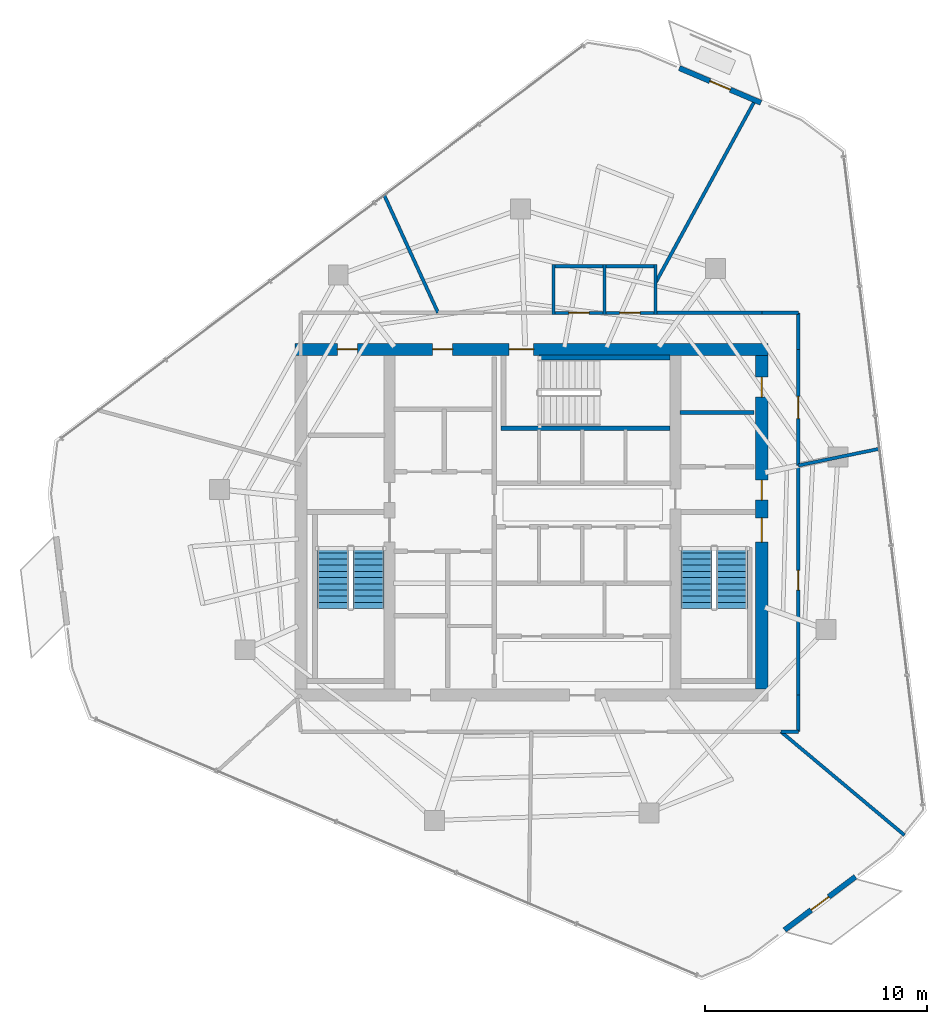
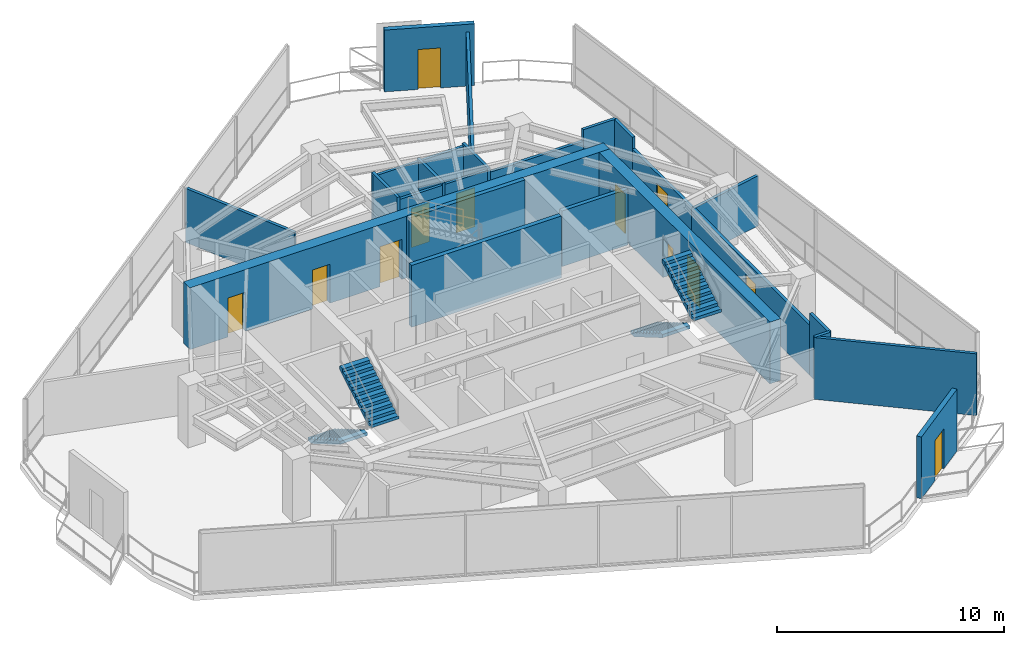
# One storey, part 15 of 18: 25 walls, 12 doors, 4 stair flights, 12 openings, 2 elements without a shape of their own.
"""IFC4 building model written with IfcOpenShell, lengths in metres."""

from ifc_helpers import new_model, si_unit, direction, frame, frame_2d, origin, place, context, subcontext, project, spatial, polyline, rectangle, outline, extrude, material, layer, layer_set, type_object, element, fill, aggregate, save


model = new_model("IFC4")

# Units and contexts
model_context = context("Model", 3, precision=1e-05, world=origin(), true_north=direction((0.0, 1.0)))
body_context = subcontext(model_context, "Body", "Model", "MODEL_VIEW")
ifc_project = project(units=[si_unit("LENGTHUNIT", "METRE"), si_unit("AREAUNIT", "SQUARE_METRE"), si_unit("VOLUMEUNIT", "CUBIC_METRE"), si_unit("PLANEANGLEUNIT", "RADIAN"), si_unit("MASSUNIT", "GRAM", prefix="KILO")], contexts=[model_context])

# Site, building, storey
site_placement = place(None, origin())
site = spatial("IfcSite", under=ifc_project, at=site_placement, CompositionType="ELEMENT")
building_placement = place(site_placement, origin())
building = spatial("IfcBuilding", under=site, at=building_placement, Name="Qarnah Convention Tower", CompositionType="ELEMENT")
storey_placement = place(building_placement, frame((0.0, 0.0, 205.800048828125)))
storey = spatial("IfcBuildingStorey", under=building, at=storey_placement, Name="L55", CompositionType="ELEMENT", Elevation=205.800048828125)

# Wall, openings, doors
ifc_material_1 = material(Name="Concrete C60/75", Category="concrete")
ifc_layer_1 = layer(ifc_material_1, 0.550048828125)
ifc_layer_set_1 = layer_set([ifc_layer_1], Name="Concrete C60/75")
wall_type_1 = type_object("IfcWallType", Name="WL-CORE-550", PredefinedType="SHEAR", material=ifc_layer_set_1)
wall_1_placement = place(storey_placement, frame((26.52490234375, 34.199951171875, 0.0), z_axis=(0.0, 0.0, 1.0), x_axis=(1.0, 0.0, 0.0)))
wall_1 = element("IfcWall", 1, at=wall_1_placement, inside=storey, type_object=wall_type_1, Name="L55 core north shear wall", PredefinedType="SHEAR", context=body_context, shape_type="SweptSolid", body=[
    extrude(rectangle(XDim=21.35009765625, YDim=0.550048828125, at=frame_2d((10.675048828125, 0.0))), origin(), (0.0, 0.0, 1.0), 3.320068359375),
])
opening_1_placement = place(wall_1_placement, frame((9.675048828125, 0.0, 0.0)))
opening_1 = element("IfcOpeningElement", 2, at=opening_1_placement, cuts=wall_1, Name="Opening D-5503", PredefinedType="OPENING", context=body_context, shape_type="SweptSolid", body=[
    extrude(rectangle(XDim=1.10009765625, YDim=2.14990234375, at=frame_2d((0.550048828125, 1.074951171875))), frame((0.0, 0.284912109375, 0.0), z_axis=(0.0, -1.0, 0.0), x_axis=(1.0, 0.0, 0.0)), (0.0, 0.0, 1.0), 0.570068359375),
])
opening_2_placement = place(wall_1_placement, frame((1.925048828125, 0.0, 0.0)))
opening_2 = element("IfcOpeningElement", 3, at=opening_2_placement, cuts=wall_1, Name="Opening D-5509", PredefinedType="OPENING", context=body_context, shape_type="SweptSolid", body=[
    extrude(rectangle(XDim=0.89990234375, YDim=2.10009765625, at=frame_2d((0.449951171875, 1.050048828125))), frame((0.0, 0.284912109375, 0.0), z_axis=(0.0, -1.0, 0.0), x_axis=(1.0, 0.0, 0.0)), (0.0, 0.0, 1.0), 0.570068359375),
])
opening_3_placement = place(wall_1_placement, frame((6.22509765625, 0.0, 0.0)))
opening_3 = element("IfcOpeningElement", 4, at=opening_3_placement, cuts=wall_1, Name="Opening D-5510", PredefinedType="OPENING", context=body_context, shape_type="SweptSolid", body=[
    extrude(rectangle(XDim=0.89990234375, YDim=2.10009765625, at=frame_2d((0.449951171875, 1.050048828125))), frame((0.0, 0.284912109375, 0.0), z_axis=(0.0, -1.0, 0.0), x_axis=(1.0, 0.0, 0.0)), (0.0, 0.0, 1.0), 0.570068359375),
])
ifc_material_2 = material(Name="Structural steel S355JR", Category="steel")
door_type_1 = type_object("IfcDoorType", Name="DT-RISER-900", OperationType="NOTDEFINED", PredefinedType="DOOR", material=ifc_material_2)
door_1_placement = place(opening_2_placement, origin())
door_1 = element("IfcDoor", 5, at=door_1_placement, inside=storey, type_object=door_type_1, Name="Door D-5509", OperationType="SINGLE_SWING_LEFT", OverallHeight=2.10009765625, OverallWidth=0.89990234375, PredefinedType="DOOR", context=body_context, shape_type="SweptSolid", body=[
    extrude(rectangle(XDim=0.89990234375, YDim=2.10009765625, at=frame_2d((0.449951171875, 1.050048828125))), frame((0.0, 0.02490234375, 0.0), z_axis=(0.0, -1.0, 0.0), x_axis=(1.0, 0.0, 0.0)), (0.0, 0.0, 1.0), 0.050048828125),
])
fill(opening_2, door_1)
door_2_placement = place(opening_3_placement, origin())
door_2 = element("IfcDoor", 6, at=door_2_placement, inside=storey, type_object=door_type_1, Name="Door D-5510", OperationType="SINGLE_SWING_RIGHT", OverallHeight=2.10009765625, OverallWidth=0.89990234375, PredefinedType="DOOR", context=body_context, shape_type="SweptSolid", body=[
    extrude(rectangle(XDim=0.89990234375, YDim=2.10009765625, at=frame_2d((0.449951171875, 1.050048828125))), frame((0.0, 0.02490234375, 0.0), z_axis=(0.0, -1.0, 0.0), x_axis=(1.0, 0.0, 0.0)), (0.0, 0.0, 1.0), 0.050048828125),
])
fill(opening_3, door_2)
door_type_2 = type_object("IfcDoorType", Name="DT-STAIR-1100", OperationType="NOTDEFINED", PredefinedType="DOOR", material=ifc_material_2)
door_3_placement = place(opening_1_placement, origin())
door_3 = element("IfcDoor", 7, at=door_3_placement, inside=storey, type_object=door_type_2, Name="Door D-5503", OperationType="SINGLE_SWING_LEFT", OverallHeight=2.14990234375, OverallWidth=1.10009765625, PredefinedType="DOOR", context=body_context, shape_type="SweptSolid", body=[
    extrude(rectangle(XDim=1.10009765625, YDim=2.14990234375, at=frame_2d((0.550048828125, 1.074951171875))), frame((0.0, 0.02490234375, 0.0), z_axis=(0.0, -1.0, 0.0), x_axis=(1.0, 0.0, 0.0)), (0.0, 0.0, 1.0), 0.050048828125),
])
fill(opening_1, door_3)

wall_2_placement = place(storey_placement, frame((47.60009765625, 18.875, 0.0), z_axis=(0.0, 0.0, 1.0), x_axis=(0.0, 1.0, 0.0)))
wall_2 = element("IfcWall", 8, at=wall_2_placement, inside=storey, type_object=wall_type_1, Name="L55 core east shear wall", PredefinedType="SHEAR", context=body_context, shape_type="SweptSolid", body=[
    extrude(rectangle(XDim=15.050048828125, YDim=0.550048828125, at=frame_2d((7.52490234375, 0.0))), origin(), (0.0, 0.0, 1.0), 3.320068359375),
])
opening_4_placement = place(wall_2_placement, frame((6.625, 0.0, 0.0)))
opening_4 = element("IfcOpeningElement", 9, at=opening_4_placement, cuts=wall_2, Name="Opening D-5502", PredefinedType="OPENING", context=body_context, shape_type="SweptSolid", body=[
    extrude(rectangle(XDim=1.10009765625, YDim=2.14990234375, at=frame_2d((0.550048828125, 1.074951171875))), frame((0.0, 0.284912109375, 0.0), z_axis=(0.0, -1.0, 0.0), x_axis=(1.0, 0.0, 0.0)), (0.0, 0.0, 1.0), 0.570068359375),
])
opening_5_placement = place(wall_2_placement, frame((8.52490234375, 0.0, 0.0)))
opening_5 = element("IfcOpeningElement", 10, at=opening_5_placement, cuts=wall_2, Name="Opening D-5506", PredefinedType="OPENING", context=body_context, shape_type="SweptSolid", body=[
    extrude(rectangle(XDim=0.89990234375, YDim=2.10009765625, at=frame_2d((0.449951171875, 1.050048828125))), frame((0.0, 0.284912109375, 0.0), z_axis=(0.0, -1.0, 0.0), x_axis=(1.0, 0.0, 0.0)), (0.0, 0.0, 1.0), 0.570068359375),
])
opening_6_placement = place(wall_2_placement, frame((13.175048828125, 0.0, 0.0)))
opening_6 = element("IfcOpeningElement", 11, at=opening_6_placement, cuts=wall_2, Name="Opening D-5512", PredefinedType="OPENING", context=body_context, shape_type="SweptSolid", body=[
    extrude(rectangle(XDim=0.89990234375, YDim=2.10009765625, at=frame_2d((0.449951171875, 1.050048828125))), frame((0.0, 0.284912109375, 0.0), z_axis=(0.0, -1.0, 0.0), x_axis=(1.0, 0.0, 0.0)), (0.0, 0.0, 1.0), 0.570068359375),
])
door_4_placement = place(opening_5_placement, origin())
door_4 = element("IfcDoor", 12, at=door_4_placement, inside=storey, type_object=door_type_1, Name="Door D-5506", OperationType="SINGLE_SWING_RIGHT", OverallHeight=2.10009765625, OverallWidth=0.89990234375, PredefinedType="DOOR", context=body_context, shape_type="SweptSolid", body=[
    extrude(rectangle(XDim=0.89990234375, YDim=2.10009765625, at=frame_2d((0.449951171875, 1.050048828125))), frame((0.0, 0.02490234375, 0.0), z_axis=(0.0, -1.0, 0.0), x_axis=(1.0, 0.0, 0.0)), (0.0, 0.0, 1.0), 0.050048828125),
])
fill(opening_5, door_4)
door_5_placement = place(opening_6_placement, origin())
door_5 = element("IfcDoor", 13, at=door_5_placement, inside=storey, type_object=door_type_1, Name="Door D-5512", OperationType="SINGLE_SWING_RIGHT", OverallHeight=2.10009765625, OverallWidth=0.89990234375, PredefinedType="DOOR", context=body_context, shape_type="SweptSolid", body=[
    extrude(rectangle(XDim=0.89990234375, YDim=2.10009765625, at=frame_2d((0.449951171875, 1.050048828125))), frame((0.0, 0.02490234375, 0.0), z_axis=(0.0, -1.0, 0.0), x_axis=(1.0, 0.0, 0.0)), (0.0, 0.0, 1.0), 0.050048828125),
])
fill(opening_6, door_5)
door_6_placement = place(opening_4_placement, origin())
door_6 = element("IfcDoor", 14, at=door_6_placement, inside=storey, type_object=door_type_2, Name="Door D-5502", OperationType="SINGLE_SWING_RIGHT", OverallHeight=2.14990234375, OverallWidth=1.10009765625, PredefinedType="DOOR", context=body_context, shape_type="SweptSolid", body=[
    extrude(rectangle(XDim=1.10009765625, YDim=2.14990234375, at=frame_2d((0.550048828125, 1.074951171875))), frame((0.0, 0.02490234375, 0.0), z_axis=(0.0, -1.0, 0.0), x_axis=(1.0, 0.0, 0.0)), (0.0, 0.0, 1.0), 0.050048828125),
])
fill(opening_4, door_6)

# Walls
ifc_material_3 = material(Name="Concrete C45/55", Category="concrete")
ifc_layer_2 = layer(ifc_material_3, 0.199951171875)
ifc_layer_set_2 = layer_set([ifc_layer_2], Name="Concrete C45/55")
wall_type_2 = type_object("IfcWallType", Name="WL-CORE-PART-200", PredefinedType="SOLIDWALL", material=ifc_layer_set_2)
wall_3_placement = place(storey_placement, frame((43.89990234375, 31.35009765625, 0.0), z_axis=(0.0, 0.0, 1.0), x_axis=(1.0, 0.0, 0.0)))
element("IfcWall", 15, at=wall_3_placement, inside=storey, type_object=wall_type_2, Name="L55 interior wall IW-L55-WTRN", PredefinedType="SOLIDWALL", context=body_context, shape_type="SweptSolid", body=[
    extrude(rectangle(XDim=3.35009765625, YDim=0.199951171875, at=frame_2d((1.675048828125, 0.0))), origin(), (0.0, 0.0, 1.0), 2.992919921875),
])
ifc_layer_3 = layer(ifc_material_1, 0.219970703125)
ifc_layer_set_3 = layer_set([ifc_layer_3], Name="Concrete C60/75")
wall_type_3 = type_object("IfcWallType", Name="WL-CORE-STAIR-220", PredefinedType="SHEAR", material=ifc_layer_set_3)
wall_4_placement = place(storey_placement, frame((35.840087890625, 30.639892578125, 0.0), z_axis=(0.0, 0.0, 1.0), x_axis=(1.0, 0.0, 0.0)))
element("IfcWall", 16, at=wall_4_placement, inside=storey, type_object=wall_type_3, Name="L55 stair shaft shear wall SW-L55-ST3S", PredefinedType="SHEAR", context=body_context, shape_type="SweptSolid", body=[
    extrude(rectangle(XDim=7.60986328125, YDim=0.219970703125, at=frame_2d((3.804931640625, 0.0))), origin(), (0.0, 0.0, 1.0), 3.320068359375),
])
wall_5_placement = place(storey_placement, frame((37.550048828125, 33.840087890625, 0.0), z_axis=(0.0, 0.0, 1.0), x_axis=(1.0, 0.0, 0.0)))
element("IfcWall", 17, at=wall_5_placement, inside=storey, type_object=wall_type_3, Name="L55 stair shaft shear wall SW-L55-ST3N", PredefinedType="SHEAR", context=body_context, shape_type="SweptSolid", body=[
    extrude(rectangle(XDim=5.89990234375, YDim=0.219970703125, at=frame_2d((2.949951171875, 0.0))), origin(), (0.0, 0.0, 1.0), 3.320068359375),
])

# Wall, opening, door
ifc_material_4 = material(Name="Precast concrete C45/55", Category="concrete")
ifc_layer_4 = layer(ifc_material_4, 0.239990234375)
ifc_layer_set_4 = layer_set([ifc_layer_4], Name="Precast concrete C45/55")
wall_type_4 = type_object("IfcWallType", Name="WL-EXT-BAL-240", PredefinedType="SOLIDWALL", material=ifc_layer_set_4)
wall_6_placement = place(storey_placement, frame((43.8798828125, 46.89501953125, 0.0), z_axis=(0.0, 0.0, 1.0), x_axis=(0.920202348273, -0.391443020416, 0.0)))
wall_6 = element("IfcWall", 18, at=wall_6_placement, inside=storey, type_object=wall_type_4, Name="L55 loggia threshold wall BAL-L55-C1", PredefinedType="SOLIDWALL", context=body_context, shape_type="SweptSolid", body=[
    extrude(rectangle(XDim=4.00048828125, YDim=0.239990234375, at=frame_2d((2.000244140625, 0.0))), origin(), (0.0, 0.0, 1.0), 3.320068359375),
])
opening_7_placement = place(wall_6_placement, frame((1.5, 0.0, 0.0)))
opening_7 = element("IfcOpeningElement", 19, at=opening_7_placement, cuts=wall_6, Name="Opening BD-5501", PredefinedType="OPENING", context=body_context, shape_type="SweptSolid", body=[
    extrude(rectangle(XDim=1.0, YDim=2.14990234375, at=frame_2d((0.5, 1.074951171875))), frame((0.0, 0.1298828125, 0.0), z_axis=(0.0, -1.0, 0.0), x_axis=(1.0, 0.0, 0.0)), (0.0, 0.0, 1.0), 0.260009765625),
])
ifc_material_5 = material(Name="Black anodised aluminium", Category="aluminium")
door_type_3 = type_object("IfcDoorType", Name="DT-BAL-1000", OperationType="NOTDEFINED", PredefinedType="DOOR", material=ifc_material_5)
door_7_placement = place(opening_7_placement, origin())
door_7 = element("IfcDoor", 20, at=door_7_placement, inside=storey, type_object=door_type_3, Name="L55 balcony terrace door BAL-L55-C1", OperationType="SINGLE_SWING_RIGHT", OverallHeight=2.14990234375, OverallWidth=1.0, PredefinedType="DOOR", context=body_context, shape_type="SweptSolid", body=[
    extrude(rectangle(XDim=1.0, YDim=2.14990234375, at=frame_2d((0.5, 1.074951171875))), frame((0.0, 0.02490234375, 0.0), z_axis=(0.0, -1.0, 0.0), x_axis=(1.0, 0.0, 0.0)), (0.0, 0.0, 1.0), 0.050048828125),
])
fill(opening_7, door_7)

wall_7_placement = place(storey_placement, frame((51.824951171875, 10.402099609375, 0.0), z_axis=(0.0, 0.0, 1.0), x_axis=(-0.799039470484, -0.601278574879, 0.0)))
wall_7 = element("IfcWall", 21, at=wall_7_placement, inside=storey, type_object=wall_type_4, Name="L55 loggia threshold wall BAL-L55-C3", PredefinedType="SOLIDWALL", context=body_context, shape_type="SweptSolid", body=[
    extrude(rectangle(XDim=3.999755859375, YDim=0.239990234375, at=frame_2d((2.0, 0.0))), origin(), (0.0, 0.0, 1.0), 3.320068359375),
])
opening_8_placement = place(wall_7_placement, frame((1.5, 0.0, 0.0)))
opening_8 = element("IfcOpeningElement", 22, at=opening_8_placement, cuts=wall_7, Name="Opening BD-5503", PredefinedType="OPENING", context=body_context, shape_type="SweptSolid", body=[
    extrude(rectangle(XDim=1.0, YDim=2.14990234375, at=frame_2d((0.5, 1.074951171875))), frame((0.0, 0.1298828125, 0.0), z_axis=(0.0, -1.0, 0.0), x_axis=(1.0, 0.0, 0.0)), (0.0, 0.0, 1.0), 0.260009765625),
])
door_8_placement = place(opening_8_placement, origin())
door_8 = element("IfcDoor", 23, at=door_8_placement, inside=storey, type_object=door_type_3, Name="L55 balcony terrace door BAL-L55-C3", OperationType="SINGLE_SWING_RIGHT", OverallHeight=2.14990234375, OverallWidth=1.0, PredefinedType="DOOR", context=body_context, shape_type="SweptSolid", body=[
    extrude(rectangle(XDim=1.0, YDim=2.14990234375, at=frame_2d((0.5, 1.074951171875))), frame((0.0, 0.02490234375, 0.0), z_axis=(0.0, -1.0, 0.0), x_axis=(1.0, 0.0, 0.0)), (0.0, 0.0, 1.0), 0.050048828125),
])
fill(opening_8, door_8)

# Walls
ifc_material_6 = material(Name="Gypsum partition board")
ifc_layer_5 = layer(ifc_material_6, 0.14990234375)
ifc_layer_set_5 = layer_set([ifc_layer_5], Name="Gypsum partition board")
wall_type_5 = type_object("IfcWallType", Name="WL-SUITE-150", PredefinedType="PARTITIONING", material=ifc_layer_set_5)
wall_8_placement = place(storey_placement, frame((47.325927734375, 45.4951171875, 0.0), z_axis=(0.0, 0.0, 1.0), x_axis=(-0.478736327061, -0.877958728616, 0.0)))
element("IfcWall", 24, at=wall_8_placement, inside=storey, type_object=wall_type_5, Name="L55 interior wall IW-L55-R-08", PredefinedType="PARTITIONING", context=body_context, shape_type="SweptSolid", body=[
    extrude(rectangle(XDim=9.453857421875, YDim=0.14990234375, at=frame_2d((4.72705078125, 0.0))), origin(), (0.0, 0.0, 1.0), 2.905029296875),
])
wall_9_placement = place(storey_placement, frame((42.8701171875, 35.85009765625, 0.0), z_axis=(0.0, 0.0, 1.0), x_axis=(1.0, 0.0, 0.0)))
element("IfcWall", 25, at=wall_9_placement, inside=storey, type_object=wall_type_5, Name="L55 interior wall IW-L55-R-09", PredefinedType="PARTITIONING", context=body_context, shape_type="SweptSolid", body=[
    extrude(rectangle(XDim=4.72998046875, YDim=0.14990234375, at=frame_2d((2.364990234375, 0.0))), origin(), (0.0, 0.0, 1.0), 2.697021484375),
])
wall_10_placement = place(storey_placement, frame((47.60009765625, 35.85009765625, 0.0), z_axis=(0.0, 0.0, 1.0), x_axis=(1.0, 0.0, 0.0)))
element("IfcWall", 26, at=wall_10_placement, inside=storey, type_object=wall_type_5, Name="L55 interior wall IW-L55-R-10", PredefinedType="PARTITIONING", context=body_context, shape_type="SweptSolid", body=[
    extrude(rectangle(XDim=1.64990234375, YDim=0.14990234375, at=frame_2d((0.824951171875, 0.0))), origin(), (0.0, 0.0, 1.0), 3.320068359375),
])
wall_11_placement = place(storey_placement, frame((49.25, 35.85009765625, 0.0), z_axis=(0.0, 0.0, 1.0), x_axis=(0.0, -1.0, 0.0)))
element("IfcWall", 27, at=wall_11_placement, inside=storey, type_object=wall_type_5, Name="L55 interior wall IW-L55-R-11", PredefinedType="PARTITIONING", context=body_context, shape_type="SweptSolid", body=[
    extrude(rectangle(XDim=1.650146484375, YDim=0.14990234375, at=frame_2d((0.8251953125, 0.0))), origin(), (0.0, 0.0, 1.0), 3.320068359375),
])

# Wall, opening, door
wall_12_placement = place(storey_placement, frame((49.25, 34.199951171875, 0.0), z_axis=(0.0, 0.0, 1.0), x_axis=(0.0, -1.0, 0.0)))
wall_12 = element("IfcWall", 28, at=wall_12_placement, inside=storey, type_object=wall_type_5, Name="L55 interior wall IW-L55-R-12", PredefinedType="PARTITIONING", context=body_context, shape_type="SweptSolid", body=[
    extrude(rectangle(XDim=5.239013671875, YDim=0.14990234375, at=frame_2d((2.61962890625, 0.0))), origin(), (0.0, 0.0, 1.0), 2.697021484375),
])
opening_9_placement = place(wall_12_placement, frame((2.1201171875, 0.0, 0.0)))
opening_9 = element("IfcOpeningElement", 29, at=opening_9_placement, cuts=wall_12, Name="Opening D-5520", PredefinedType="OPENING", context=body_context, shape_type="SweptSolid", body=[
    extrude(rectangle(XDim=1.0, YDim=2.14990234375, at=frame_2d((0.5, 1.074951171875))), frame((0.0, 0.0849609375, 0.0), z_axis=(0.0, -1.0, 0.0), x_axis=(1.0, 0.0, 0.0)), (0.0, 0.0, 1.0), 0.169921875),
])
ifc_material_7 = material(Name="Oak timber veneer", Category="wood")
door_type_4 = type_object("IfcDoorType", Name="DT-OFFICE-1000", OperationType="NOTDEFINED", PredefinedType="DOOR", material=ifc_material_7)
door_9_placement = place(opening_9_placement, origin())
door_9 = element("IfcDoor", 30, at=door_9_placement, inside=storey, type_object=door_type_4, Name="Door D-5520", OperationType="SINGLE_SWING_RIGHT", OverallHeight=2.14990234375, OverallWidth=1.0, PredefinedType="DOOR", context=body_context, shape_type="SweptSolid", body=[
    extrude(rectangle(XDim=1.0, YDim=2.14990234375, at=frame_2d((0.5, 1.074951171875))), frame((0.0, 0.02490234375, 0.0), z_axis=(0.0, -1.0, 0.0), x_axis=(1.0, 0.0, 0.0)), (0.0, 0.0, 1.0), 0.050048828125),
])
fill(opening_9, door_9)

# Walls
wall_13_placement = place(storey_placement, frame((49.25, 28.9609375, 0.0), z_axis=(0.0, 0.0, 1.0), x_axis=(0.979467173655, 0.201603709621, 0.0)))
element("IfcWall", 31, at=wall_13_placement, inside=storey, type_object=wall_type_5, Name="L55 interior wall IW-L55-R-13", PredefinedType="PARTITIONING", context=body_context, shape_type="SweptSolid", body=[
    extrude(rectangle(XDim=3.779541015625, YDim=0.14990234375, at=frame_2d((1.8896484375, 0.0))), origin(), (0.0, 0.0, 1.0), 2.697021484375),
])
wall_14_placement = place(storey_placement, frame((30.544921875, 41.193115234375, 0.0), z_axis=(0.0, 0.0, 1.0), x_axis=(0.41653026279, -0.909121851118, 0.0)))
element("IfcWall", 32, at=wall_14_placement, inside=storey, type_object=wall_type_5, Name="L55 interior wall IW-L55-R-14", PredefinedType="PARTITIONING", context=body_context, shape_type="SweptSolid", body=[
    extrude(rectangle(XDim=5.877197265625, YDim=0.14990234375, at=frame_2d((2.9384765625, 0.0))), origin(), (0.0, 0.0, 1.0), 2.905029296875),
])
wall_15_placement = place(storey_placement, frame((54.0380859375, 12.277099609375, 0.0), z_axis=(0.0, 0.0, 1.0), x_axis=(-0.766457970924, 0.642294464251, 0.0)))
element("IfcWall", 33, at=wall_15_placement, inside=storey, type_object=wall_type_5, Name="L55 interior wall IW-L55-R-23", PredefinedType="PARTITIONING", context=body_context, shape_type="SweptSolid", body=[
    extrude(rectangle(XDim=7.275146484375, YDim=0.14990234375, at=frame_2d((3.6376953125, 0.0))), origin(), (0.0, 0.0, 1.0), 3.320068359375),
])

# Wall, opening, door
wall_16_placement = place(storey_placement, frame((49.25, 28.9609375, 0.0), z_axis=(0.0, 0.0, 1.0), x_axis=(0.0, -1.0, 0.0)))
wall_16 = element("IfcWall", 34, at=wall_16_placement, inside=storey, type_object=wall_type_5, Name="L55 interior wall IW-L55-R-25", PredefinedType="PARTITIONING", context=body_context, shape_type="SweptSolid", body=[
    extrude(rectangle(XDim=10.36083984375, YDim=0.14990234375, at=frame_2d((5.180419921875, 0.0))), origin(), (0.0, 0.0, 1.0), 2.697021484375),
])
opening_10_placement = place(wall_16_placement, frame((4.72998046875, 0.0, 0.0)))
opening_10 = element("IfcOpeningElement", 35, at=opening_10_placement, cuts=wall_16, Name="Opening D-5526", PredefinedType="OPENING", context=body_context, shape_type="SweptSolid", body=[
    extrude(rectangle(XDim=0.89990234375, YDim=2.0, at=frame_2d((0.449951171875, 1.0))), frame((0.0, 0.0849609375, 0.0), z_axis=(0.0, -1.0, 0.0), x_axis=(1.0, 0.0, 0.0)), (0.0, 0.0, 1.0), 0.169921875),
])
door_type_5 = type_object("IfcDoorType", Name="DT-PLANT-900", OperationType="NOTDEFINED", PredefinedType="DOOR", material=ifc_material_2)
door_10_placement = place(opening_10_placement, origin())
door_10 = element("IfcDoor", 36, at=door_10_placement, inside=storey, type_object=door_type_5, Name="Door D-5526", OperationType="SINGLE_SWING_RIGHT", OverallHeight=2.0, OverallWidth=0.89990234375, PredefinedType="DOOR", context=body_context, shape_type="SweptSolid", body=[
    extrude(rectangle(XDim=0.89990234375, YDim=2.0, at=frame_2d((0.449951171875, 1.0))), frame((0.0, 0.02490234375, 0.0), z_axis=(0.0, -1.0, 0.0), x_axis=(1.0, 0.0, 0.0)), (0.0, 0.0, 1.0), 0.050048828125),
])
fill(opening_10, door_10)

# Walls
wall_17_placement = place(storey_placement, frame((49.25, 18.60009765625, 0.0), z_axis=(0.0, 0.0, 1.0), x_axis=(0.0, -1.0, 0.0)))
element("IfcWall", 37, at=wall_17_placement, inside=storey, type_object=wall_type_5, Name="L55 interior wall IW-L55-R-26", PredefinedType="PARTITIONING", context=body_context, shape_type="SweptSolid", body=[
    extrude(rectangle(XDim=1.650146484375, YDim=0.14990234375, at=frame_2d((0.8251953125, 0.0))), origin(), (0.0, 0.0, 1.0), 3.320068359375),
])
wall_18_placement = place(storey_placement, frame((49.25, 16.949951171875, 0.0), z_axis=(0.0, 0.0, 1.0), x_axis=(-1.0, 0.0, 0.0)))
element("IfcWall", 38, at=wall_18_placement, inside=storey, type_object=wall_type_5, Name="L55 interior wall IW-L55-R-27", PredefinedType="PARTITIONING", context=body_context, shape_type="SweptSolid", body=[
    extrude(rectangle(XDim=0.7880859375, YDim=0.14990234375, at=frame_2d((0.39404296875, 0.0))), origin(), (0.0, 0.0, 1.0), 3.320068359375),
])

# Wall, opening, door
ifc_layer_6 = layer(ifc_material_6, 0.139892578125)
ifc_layer_set_6 = layer_set([ifc_layer_6], Name="Gypsum partition board")
wall_type_6 = type_object("IfcWallType", Name="WL-WET-140", PredefinedType="PARTITIONING", material=ifc_layer_set_6)
wall_19_placement = place(storey_placement, frame((38.1298828125, 35.85009765625, 0.0), z_axis=(0.0, 0.0, 1.0), x_axis=(1.0, 0.0, 0.0)))
wall_19 = element("IfcWall", 39, at=wall_19_placement, inside=storey, type_object=wall_type_6, Name="L55 interior wall IW-L55-WCM-1", PredefinedType="PARTITIONING", context=body_context, shape_type="SweptSolid", body=[
    extrude(rectangle(XDim=2.440185546875, YDim=0.139892578125, at=frame_2d((1.22021484375, 0.0))), origin(), (0.0, 0.0, 1.0), 2.841064453125),
])
opening_11_placement = place(wall_19_placement, frame((0.760009765625, 0.0, 0.0)))
opening_11 = element("IfcOpeningElement", 40, at=opening_11_placement, cuts=wall_19, Name="Opening D-5518", PredefinedType="OPENING", context=body_context, shape_type="SweptSolid", body=[
    extrude(rectangle(XDim=0.919921875, YDim=2.10009765625, at=frame_2d((0.4599609375, 1.050048828125))), frame((0.0, 0.079833984375, 0.0), z_axis=(0.0, -1.0, 0.0), x_axis=(1.0, 0.0, 0.0)), (0.0, 0.0, 1.0), 0.159912109375),
])
door_type_6 = type_object("IfcDoorType", Name="DT-WC-920", OperationType="NOTDEFINED", PredefinedType="DOOR", material=ifc_material_7)
door_11_placement = place(opening_11_placement, origin())
door_11 = element("IfcDoor", 41, at=door_11_placement, inside=storey, type_object=door_type_6, Name="Door D-5518", OperationType="SINGLE_SWING_RIGHT", OverallHeight=2.10009765625, OverallWidth=0.919921875, PredefinedType="DOOR", context=body_context, shape_type="SweptSolid", body=[
    extrude(rectangle(XDim=0.919921875, YDim=2.10009765625, at=frame_2d((0.4599609375, 1.050048828125))), frame((0.0, 0.02490234375, 0.0), z_axis=(0.0, -1.0, 0.0), x_axis=(1.0, 0.0, 0.0)), (0.0, 0.0, 1.0), 0.050048828125),
])
fill(opening_11, door_11)

# Walls
wall_20_placement = place(storey_placement, frame((40.5, 35.780029296875, 0.0), z_axis=(0.0, 0.0, 1.0), x_axis=(0.0, 1.0, 0.0)))
element("IfcWall", 42, at=wall_20_placement, inside=storey, type_object=wall_type_6, Name="L55 interior wall IW-L55-WCM-2", PredefinedType="PARTITIONING", context=body_context, shape_type="SweptSolid", body=[
    extrude(rectangle(XDim=2.239990234375, YDim=0.139892578125, at=frame_2d((1.1201171875, 0.0))), origin(), (0.0, 0.0, 1.0), 2.948974609375),
])
wall_21_placement = place(storey_placement, frame((40.570068359375, 37.949951171875, 0.0), z_axis=(0.0, 0.0, 1.0), x_axis=(-1.0, 0.0, 0.0)))
element("IfcWall", 43, at=wall_21_placement, inside=storey, type_object=wall_type_6, Name="L55 interior wall IW-L55-WCM-3", PredefinedType="PARTITIONING", context=body_context, shape_type="SweptSolid", body=[
    extrude(rectangle(XDim=2.440185546875, YDim=0.139892578125, at=frame_2d((1.22021484375, 0.0))), origin(), (0.0, 0.0, 1.0), 2.841064453125),
])
wall_22_placement = place(storey_placement, frame((38.199951171875, 38.02001953125, 0.0), z_axis=(0.0, 0.0, 1.0), x_axis=(0.0, -1.0, 0.0)))
element("IfcWall", 44, at=wall_22_placement, inside=storey, type_object=wall_type_6, Name="L55 interior wall IW-L55-WCM-4", PredefinedType="PARTITIONING", context=body_context, shape_type="SweptSolid", body=[
    extrude(rectangle(XDim=2.239990234375, YDim=0.139892578125, at=frame_2d((1.1201171875, 0.0))), origin(), (0.0, 0.0, 1.0), 2.992919921875),
])

# Wall, opening, door
wall_23_placement = place(storey_placement, frame((40.429931640625, 35.85009765625, 0.0), z_axis=(0.0, 0.0, 1.0), x_axis=(1.0, 0.0, 0.0)))
wall_23 = element("IfcWall", 45, at=wall_23_placement, inside=storey, type_object=wall_type_6, Name="L55 interior wall IW-L55-WCF-1", PredefinedType="PARTITIONING", context=body_context, shape_type="SweptSolid", body=[
    extrude(rectangle(XDim=2.440185546875, YDim=0.139892578125, at=frame_2d((1.22021484375, 0.0))), origin(), (0.0, 0.0, 1.0), 2.841064453125),
])
opening_12_placement = place(wall_23_placement, frame((0.760009765625, 0.0, 0.0)))
opening_12 = element("IfcOpeningElement", 46, at=opening_12_placement, cuts=wall_23, Name="Opening D-5519", PredefinedType="OPENING", context=body_context, shape_type="SweptSolid", body=[
    extrude(rectangle(XDim=0.919921875, YDim=2.10009765625, at=frame_2d((0.4599609375, 1.050048828125))), frame((0.0, 0.079833984375, 0.0), z_axis=(0.0, -1.0, 0.0), x_axis=(1.0, 0.0, 0.0)), (0.0, 0.0, 1.0), 0.159912109375),
])
door_12_placement = place(opening_12_placement, origin())
door_12 = element("IfcDoor", 47, at=door_12_placement, inside=storey, type_object=door_type_6, Name="Door D-5519", OperationType="SINGLE_SWING_LEFT", OverallHeight=2.10009765625, OverallWidth=0.919921875, PredefinedType="DOOR", context=body_context, shape_type="SweptSolid", body=[
    extrude(rectangle(XDim=0.919921875, YDim=2.10009765625, at=frame_2d((0.4599609375, 1.050048828125))), frame((0.0, 0.02490234375, 0.0), z_axis=(0.0, -1.0, 0.0), x_axis=(1.0, 0.0, 0.0)), (0.0, 0.0, 1.0), 0.050048828125),
])
fill(opening_12, door_12)

# Walls
wall_24_placement = place(storey_placement, frame((42.800048828125, 35.780029296875, 0.0), z_axis=(0.0, 0.0, 1.0), x_axis=(0.0, 1.0, 0.0)))
element("IfcWall", 48, at=wall_24_placement, inside=storey, type_object=wall_type_6, Name="L55 interior wall IW-L55-WCF-2", PredefinedType="PARTITIONING", context=body_context, shape_type="SweptSolid", body=[
    extrude(rectangle(XDim=2.239990234375, YDim=0.139892578125, at=frame_2d((1.1201171875, 0.0))), origin(), (0.0, 0.0, 1.0), 2.948974609375),
])
wall_25_placement = place(storey_placement, frame((42.8701171875, 37.949951171875, 0.0), z_axis=(0.0, 0.0, 1.0), x_axis=(-1.0, 0.0, 0.0)))
element("IfcWall", 49, at=wall_25_placement, inside=storey, type_object=wall_type_6, Name="L55 interior wall IW-L55-WCF-3", PredefinedType="PARTITIONING", context=body_context, shape_type="SweptSolid", body=[
    extrude(rectangle(XDim=2.440185546875, YDim=0.139892578125, at=frame_2d((1.22021484375, 0.0))), origin(), (0.0, 0.0, 1.0), 2.841064453125),
])

# Stair, stair flights
ifc_material_8 = material(Name="Concrete C50/60", Category="concrete")
stair_type = type_object("IfcStairType", Name="STR-OFF", PredefinedType="HALF_TURN_STAIR", material=ifc_material_8)
stair_1_placement = place(storey_placement, origin())
stair_1 = element("IfcStair", 50, at=stair_1_placement, inside=storey, type_object=stair_type, Name="L55 Core exit stair ST-1", PredefinedType="HALF_TURN_STAIR")
stair_flight_type = type_object("IfcStairFlightType", Name="FLT-OFF", PredefinedType="STRAIGHT", material=ifc_material_8)
stair_flight_1_placement = place(storey_placement, frame((28.25, 25.300048828125, 0.0), z_axis=(0.0, 0.0, 1.0), x_axis=(0.0, -1.0, 0.0)))
stair_flight_1 = element("IfcStairFlight", 51, at=stair_flight_1_placement, type_object=stair_flight_type, Name="ST-1 flight 1", NumberOfRisers=11, NumberOfTreads=10, PredefinedType="STRAIGHT", RiserHeight=0.163636364, TreadLength=0.28, context=body_context, shape_type="SweptSolid", body=[
    extrude(outline(polyline([(0.0, 0.0), (0.0, 0.16357421875), (0.280029296875, 0.16357421875), (0.280029296875, 0.327392578125), (0.56005859375, 0.327392578125), (0.56005859375, 0.490966796875), (0.840087890625, 0.490966796875), (0.840087890625, 0.654541015625), (1.1201171875, 0.654541015625), (1.1201171875, 0.818115234375), (1.39990234375, 0.818115234375), (1.39990234375, 0.98193359375), (1.679931640625, 0.98193359375), (1.679931640625, 1.1455078125), (1.9599609375, 1.1455078125), (1.9599609375, 1.30908203125), (2.239990234375, 1.30908203125), (2.239990234375, 1.47265625), (2.52001953125, 1.47265625), (2.52001953125, 1.636474609375), (2.800048828125, 1.636474609375), (2.800048828125, 1.800048828125), (2.800048828125, 1.462646484375), (0.297119140625, 0.0), (0.0, 0.0)])), frame((0.0, 0.699951171875, 0.0), z_axis=(0.0, -1.0, 0.0), x_axis=(1.0, 0.0, 0.0)), (0.0, 0.0, 1.0), 1.39990234375),
])
stair_flight_2_placement = place(storey_placement, frame((29.85009765625, 22.5, 1.800048828125), z_axis=(0.0, 0.0, 1.0), x_axis=(0.0, 1.0, 0.0)))
stair_flight_2 = element("IfcStairFlight", 52, at=stair_flight_2_placement, type_object=stair_flight_type, Name="ST-1 flight 2", NumberOfRisers=11, NumberOfTreads=10, PredefinedType="STRAIGHT", RiserHeight=0.163636364, TreadLength=0.28, context=body_context, shape_type="SweptSolid", body=[
    extrude(outline(polyline([(0.0, 0.0), (0.0, 0.16357421875), (0.280029296875, 0.16357421875), (0.280029296875, 0.327392578125), (0.56005859375, 0.327392578125), (0.56005859375, 0.490966796875), (0.840087890625, 0.490966796875), (0.840087890625, 0.654541015625), (1.1201171875, 0.654541015625), (1.1201171875, 0.818115234375), (1.39990234375, 0.818115234375), (1.39990234375, 0.98193359375), (1.679931640625, 0.98193359375), (1.679931640625, 1.1455078125), (1.9599609375, 1.1455078125), (1.9599609375, 1.30908203125), (2.239990234375, 1.30908203125), (2.239990234375, 1.47265625), (2.52001953125, 1.47265625), (2.52001953125, 1.636474609375), (2.800048828125, 1.636474609375), (2.800048828125, 1.800048828125), (2.800048828125, 1.462646484375), (0.297119140625, 0.0), (0.0, 0.0)])), frame((0.0, 0.699951171875, 0.0), z_axis=(0.0, -1.0, 0.0), x_axis=(1.0, 0.0, 0.0)), (0.0, 0.0, 1.0), 1.39990234375),
])
aggregate(stair_1, [stair_flight_1, stair_flight_2])

stair_2_placement = place(storey_placement, origin())
stair_2 = element("IfcStair", 53, at=stair_2_placement, inside=storey, type_object=stair_type, Name="L55 Core exit stair ST-2", PredefinedType="HALF_TURN_STAIR")
stair_flight_3_placement = place(storey_placement, frame((44.64990234375, 25.300048828125, 0.0), z_axis=(0.0, 0.0, 1.0), x_axis=(0.0, -1.0, 0.0)))
stair_flight_3 = element("IfcStairFlight", 54, at=stair_flight_3_placement, type_object=stair_flight_type, Name="ST-2 flight 1", NumberOfRisers=11, NumberOfTreads=10, PredefinedType="STRAIGHT", RiserHeight=0.163636364, TreadLength=0.28, context=body_context, shape_type="SweptSolid", body=[
    extrude(outline(polyline([(0.0, 0.0), (0.0, 0.16357421875), (0.280029296875, 0.16357421875), (0.280029296875, 0.327392578125), (0.56005859375, 0.327392578125), (0.56005859375, 0.490966796875), (0.840087890625, 0.490966796875), (0.840087890625, 0.654541015625), (1.1201171875, 0.654541015625), (1.1201171875, 0.818115234375), (1.39990234375, 0.818115234375), (1.39990234375, 0.98193359375), (1.679931640625, 0.98193359375), (1.679931640625, 1.1455078125), (1.9599609375, 1.1455078125), (1.9599609375, 1.30908203125), (2.239990234375, 1.30908203125), (2.239990234375, 1.47265625), (2.52001953125, 1.47265625), (2.52001953125, 1.636474609375), (2.800048828125, 1.636474609375), (2.800048828125, 1.800048828125), (2.800048828125, 1.462646484375), (0.297119140625, 0.0), (0.0, 0.0)])), frame((0.0, 0.699951171875, 0.0), z_axis=(0.0, -1.0, 0.0), x_axis=(1.0, 0.0, 0.0)), (0.0, 0.0, 1.0), 1.39990234375),
])
stair_flight_4_placement = place(storey_placement, frame((46.25, 22.5, 1.800048828125), z_axis=(0.0, 0.0, 1.0), x_axis=(0.0, 1.0, 0.0)))
stair_flight_4 = element("IfcStairFlight", 55, at=stair_flight_4_placement, type_object=stair_flight_type, Name="ST-2 flight 2", NumberOfRisers=11, NumberOfTreads=10, PredefinedType="STRAIGHT", RiserHeight=0.163636364, TreadLength=0.28, context=body_context, shape_type="SweptSolid", body=[
    extrude(outline(polyline([(0.0, 0.0), (0.0, 0.16357421875), (0.280029296875, 0.16357421875), (0.280029296875, 0.327392578125), (0.56005859375, 0.327392578125), (0.56005859375, 0.490966796875), (0.840087890625, 0.490966796875), (0.840087890625, 0.654541015625), (1.1201171875, 0.654541015625), (1.1201171875, 0.818115234375), (1.39990234375, 0.818115234375), (1.39990234375, 0.98193359375), (1.679931640625, 0.98193359375), (1.679931640625, 1.1455078125), (1.9599609375, 1.1455078125), (1.9599609375, 1.30908203125), (2.239990234375, 1.30908203125), (2.239990234375, 1.47265625), (2.52001953125, 1.47265625), (2.52001953125, 1.636474609375), (2.800048828125, 1.636474609375), (2.800048828125, 1.800048828125), (2.800048828125, 1.462646484375), (0.297119140625, 0.0), (0.0, 0.0)])), frame((0.0, 0.699951171875, 0.0), z_axis=(0.0, -1.0, 0.0), x_axis=(1.0, 0.0, 0.0)), (0.0, 0.0, 1.0), 1.39990234375),
])
aggregate(stair_2, [stair_flight_3, stair_flight_4])

save(model, "model.ifc")
